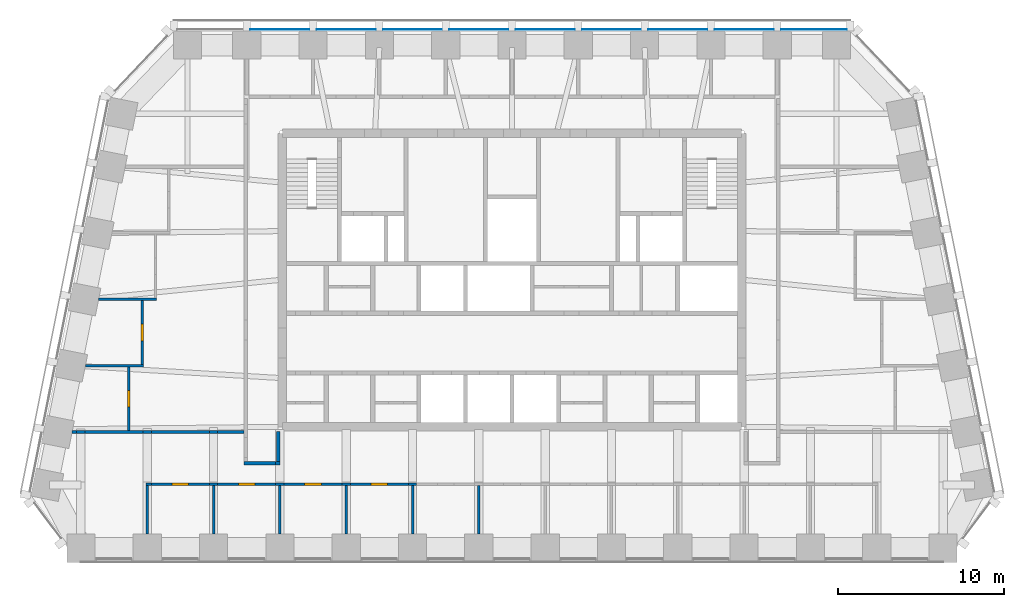
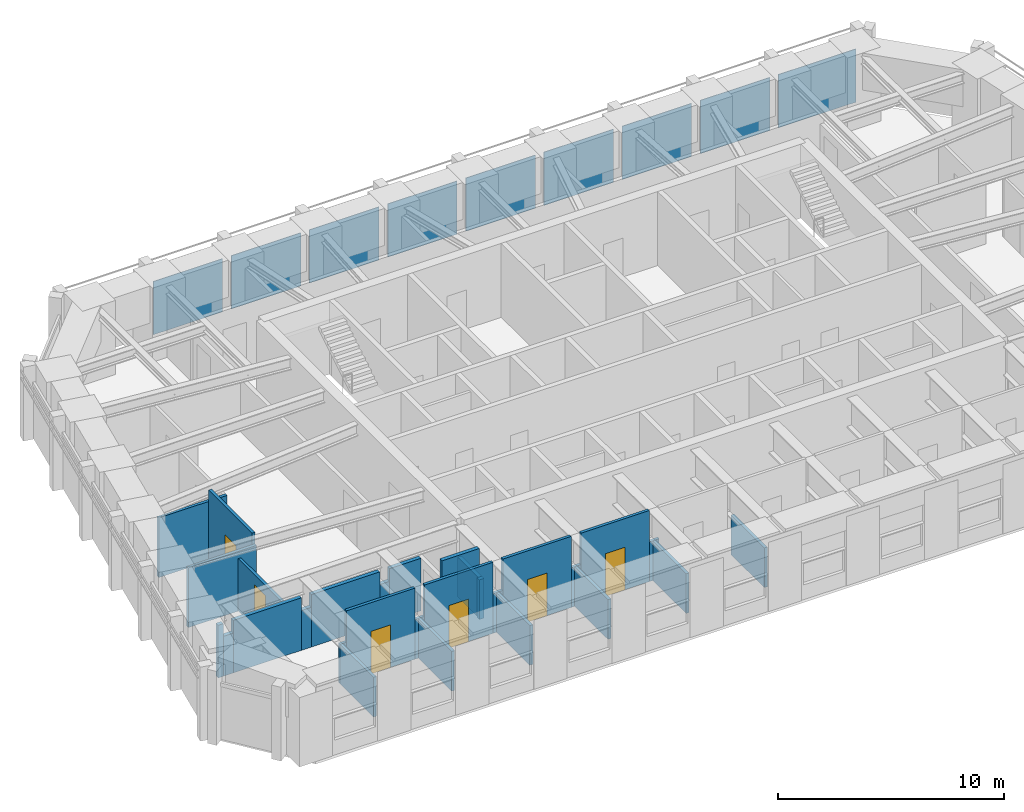
# One storey, part 4 of 12: 29 walls, 9 plates, 6 doors, 6 openings, 1 element without a shape of its own.
"""IFC4 building model written with IfcOpenShell, lengths in metres."""

from ifc_helpers import new_model, si_unit, direction, frame, frame_2d, origin, origin_2d, place, context, subcontext, project, spatial, rectangle, extrude, material, layer, layer_set, type_object, element, fill, aggregate, save


model = new_model("IFC4")

# Units and contexts
model_context = context("Model", 3, precision=1e-05, world=origin(), true_north=direction((0.0, 1.0)))
body_context = subcontext(model_context, "Body", "Model", "MODEL_VIEW")
ifc_project = project(units=[si_unit("LENGTHUNIT", "METRE"), si_unit("AREAUNIT", "SQUARE_METRE"), si_unit("VOLUMEUNIT", "CUBIC_METRE"), si_unit("PLANEANGLEUNIT", "RADIAN"), si_unit("MASSUNIT", "GRAM", prefix="KILO")], contexts=[model_context])

# Site, building, storey
site_placement = place(None, origin())
site = spatial("IfcSite", under=ifc_project, at=site_placement, CompositionType="ELEMENT")
building_placement = place(site_placement, origin())
building = spatial("IfcBuilding", under=site, at=building_placement, Name="Isbrekke Arena Tower", CompositionType="ELEMENT")
storey_placement = place(building_placement, frame((0.0, 0.0, 304.0)))
storey = spatial("IfcBuildingStorey", under=building, at=storey_placement, Name="L71", CompositionType="ELEMENT", Elevation=304.0)

# Curtain wall, plates
ifc_material_1 = material(Name="Glazed aluminium curtain wall", Category="aluminium")
curtain_wall_type = type_object("IfcCurtainWallType", Name="CWT TOWER CURTAIN WALL TOP ZONE", PredefinedType="USERDEFINED", material=ifc_material_1)
curtain_wall_placement = place(storey_placement, origin())
curtain_wall = element("IfcCurtainWall", 1, at=curtain_wall_placement, inside=storey, type_object=curtain_wall_type, Name="CWT curtain wall L71-N", ObjectType="TOWER CURTAIN WALL TOP ZONE", PredefinedType="USERDEFINED")
ifc_material_2 = material(Name="Triple-glazed clear glass unit", Category="glass")
ifc_layer_1 = layer(ifc_material_2, 0.031982421875)
ifc_layer_set_1 = layer_set([ifc_layer_1], Name="CWT-P VISION PANEL")
plate_type = type_object("IfcPlateType", Name="CWT-P VISION PANEL", PredefinedType="CURTAIN_PANEL", material=ifc_layer_set_1)
plate_1_placement = place(storey_placement, frame((18.199951171875, 30.125, 0.02001953125), z_axis=(0.0, 0.0, 1.0), x_axis=(-1.0, 0.0, 0.0)))
plate_1 = element("IfcPlate", 2, at=plate_1_placement, type_object=plate_type, Name="CWT-P panel 1", PredefinedType="CURTAIN_PANEL", context=body_context, shape_type="SweptSolid", body=[
    extrude(rectangle(XDim=3.949951171875, YDim=0.031982421875, at=origin_2d()), origin(), (0.0, 0.0, 1.0), 2.8798828125),
])
plate_2_placement = place(storey_placement, frame((14.0, 30.125, 0.02001953125), z_axis=(0.0, 0.0, 1.0), x_axis=(-1.0, 0.0, 0.0)))
plate_2 = element("IfcPlate", 3, at=plate_2_placement, type_object=plate_type, Name="CWT-P panel 2", PredefinedType="CURTAIN_PANEL", context=body_context, shape_type="SweptSolid", body=[
    extrude(rectangle(XDim=3.550048828125, YDim=0.031982421875, at=origin_2d()), origin(), (0.0, 0.0, 1.0), 2.8798828125),
])
plate_3_placement = place(storey_placement, frame((10.0, 30.125, 0.02001953125), z_axis=(0.0, 0.0, 1.0), x_axis=(-1.0, 0.0, 0.0)))
plate_3 = element("IfcPlate", 4, at=plate_3_placement, type_object=plate_type, Name="CWT-P panel 3", PredefinedType="CURTAIN_PANEL", context=body_context, shape_type="SweptSolid", body=[
    extrude(rectangle(XDim=3.550048828125, YDim=0.031982421875, at=origin_2d()), origin(), (0.0, 0.0, 1.0), 2.8798828125),
])
plate_4_placement = place(storey_placement, frame((6.0, 30.125, 0.02001953125), z_axis=(0.0, 0.0, 1.0), x_axis=(-1.0, 0.0, 0.0)))
plate_4 = element("IfcPlate", 5, at=plate_4_placement, type_object=plate_type, Name="CWT-P panel 4", PredefinedType="CURTAIN_PANEL", context=body_context, shape_type="SweptSolid", body=[
    extrude(rectangle(XDim=3.550048828125, YDim=0.031982421875, at=origin_2d()), origin(), (0.0, 0.0, 1.0), 2.8798828125),
])
plate_5_placement = place(storey_placement, frame((2.0, 30.125, 0.02001953125), z_axis=(0.0, 0.0, 1.0), x_axis=(-1.0, 0.0, 0.0)))
plate_5 = element("IfcPlate", 6, at=plate_5_placement, type_object=plate_type, Name="CWT-P panel 5", PredefinedType="CURTAIN_PANEL", context=body_context, shape_type="SweptSolid", body=[
    extrude(rectangle(XDim=3.550048828125, YDim=0.031982421875, at=origin_2d()), origin(), (0.0, 0.0, 1.0), 2.8798828125),
])
plate_6_placement = place(storey_placement, frame((-2.0, 30.125, 0.02001953125), z_axis=(0.0, 0.0, 1.0), x_axis=(-1.0, 0.0, 0.0)))
plate_6 = element("IfcPlate", 7, at=plate_6_placement, type_object=plate_type, Name="CWT-P panel 6", PredefinedType="CURTAIN_PANEL", context=body_context, shape_type="SweptSolid", body=[
    extrude(rectangle(XDim=3.550048828125, YDim=0.031982421875, at=origin_2d()), origin(), (0.0, 0.0, 1.0), 2.8798828125),
])
plate_7_placement = place(storey_placement, frame((-6.0, 30.125, 0.02001953125), z_axis=(0.0, 0.0, 1.0), x_axis=(-1.0, 0.0, 0.0)))
plate_7 = element("IfcPlate", 8, at=plate_7_placement, type_object=plate_type, Name="CWT-P panel 7", PredefinedType="CURTAIN_PANEL", context=body_context, shape_type="SweptSolid", body=[
    extrude(rectangle(XDim=3.550048828125, YDim=0.031982421875, at=origin_2d()), origin(), (0.0, 0.0, 1.0), 2.8798828125),
])
plate_8_placement = place(storey_placement, frame((-10.0, 30.125, 0.02001953125), z_axis=(0.0, 0.0, 1.0), x_axis=(-1.0, 0.0, 0.0)))
plate_8 = element("IfcPlate", 9, at=plate_8_placement, type_object=plate_type, Name="CWT-P panel 8", PredefinedType="CURTAIN_PANEL", context=body_context, shape_type="SweptSolid", body=[
    extrude(rectangle(XDim=3.550048828125, YDim=0.031982421875, at=origin_2d()), origin(), (0.0, 0.0, 1.0), 2.8798828125),
])
plate_9_placement = place(storey_placement, frame((-14.0, 30.125, 0.02001953125), z_axis=(0.0, 0.0, 1.0), x_axis=(-1.0, 0.0, 0.0)))
plate_9 = element("IfcPlate", 10, at=plate_9_placement, type_object=plate_type, Name="CWT-P panel 9", PredefinedType="CURTAIN_PANEL", context=body_context, shape_type="SweptSolid", body=[
    extrude(rectangle(XDim=3.550048828125, YDim=0.031982421875, at=origin_2d()), origin(), (0.0, 0.0, 1.0), 2.8798828125),
])
aggregate(curtain_wall, [plate_1, plate_2, plate_3, plate_4, plate_5, plate_6, plate_7, plate_8, plate_9])

# Wall
ifc_material_3 = material(Name="Gypsum board partition on steel studs", Category="steel")
ifc_layer_2 = layer(ifc_material_3, 0.14990234375)
ifc_layer_set_2 = layer_set([ifc_layer_2], Name="IW1 PARTITION 150")
wall_type_1 = type_object("IfcWallType", Name="IW1 PARTITION 150", PredefinedType="PARTITIONING", material=ifc_layer_set_2)
wall_1_placement = place(storey_placement, frame((-22.074951171875, 2.699951171875, 0.0), z_axis=(0.0, 0.0, 1.0), x_axis=(1.0, 0.0, 0.0)))
element("IfcWall", 11, at=wall_1_placement, inside=storey, type_object=wall_type_1, Name="IW1 partition 150 L71", PredefinedType="PARTITIONING", context=body_context, shape_type="SweptSolid", body=[
    extrude(rectangle(XDim=0.324951171875, YDim=0.14990234375, at=frame_2d((0.16259765625, 0.0))), origin(), (0.0, 0.0, 1.0), 2.14990234375),
])

# Wall, opening, door
wall_2_placement = place(storey_placement, frame((-21.75, 2.699951171875, 0.0), z_axis=(0.0, 0.0, 1.0), x_axis=(1.0, 0.0, 0.0)))
wall_2 = element("IfcWall", 12, at=wall_2_placement, inside=storey, type_object=wall_type_1, Name="IW1 partition 150 L71", PredefinedType="PARTITIONING", context=body_context, shape_type="SweptSolid", body=[
    extrude(rectangle(XDim=3.5, YDim=0.14990234375, at=frame_2d((1.75, 0.0))), origin(), (0.0, 0.0, 1.0), 3.85009765625),
])
opening_1_placement = place(wall_2_placement, frame((1.25, 0.0, 0.0)))
opening_1 = element("IfcOpeningElement", 13, at=opening_1_placement, cuts=wall_2, Name="Opening D10", PredefinedType="OPENING", context=body_context, shape_type="SweptSolid", body=[
    extrude(rectangle(XDim=1.0, YDim=2.300048828125, at=frame_2d((0.5, 1.14990234375))), frame((0.0, 0.08984375, 0.0), z_axis=(0.0, -1.0, 0.0), x_axis=(1.0, 0.0, 0.0)), (0.0, 0.0, 1.0), 0.1796875),
])
ifc_material_4 = material(Name="Timber door", Category="wood")
door_type = type_object("IfcDoorType", Name="D10 OFFICE DOOR 1000 x 2300", OperationType="SINGLE_SWING_LEFT", PredefinedType="DOOR", material=ifc_material_4)
door_1_placement = place(opening_1_placement, origin())
door_1 = element("IfcDoor", 14, at=door_1_placement, inside=storey, type_object=door_type, Name="D10 executive office door L71", OperationType="SINGLE_SWING_LEFT", OverallHeight=2.300048828125, OverallWidth=1.0, PredefinedType="DOOR", context=body_context, shape_type="SweptSolid", body=[
    extrude(rectangle(XDim=1.0, YDim=2.300048828125, at=frame_2d((0.5, 1.14990234375))), frame((0.0, 0.07470703125, 0.0), z_axis=(0.0, -1.0, 0.0), x_axis=(1.0, 0.0, 0.0)), (0.0, 0.0, 1.0), 0.1494140625),
])
fill(opening_1, door_1)

# Wall
wall_3_placement = place(storey_placement, frame((-18.25, 2.699951171875, 0.0), z_axis=(0.0, 0.0, 1.0), x_axis=(1.0, 0.0, 0.0)))
element("IfcWall", 15, at=wall_3_placement, inside=storey, type_object=wall_type_1, Name="IW1 partition 150 L71", PredefinedType="PARTITIONING", context=body_context, shape_type="SweptSolid", body=[
    extrude(rectangle(XDim=0.5, YDim=0.14990234375, at=frame_2d((0.25, 0.0))), origin(), (0.0, 0.0, 1.0), 2.14990234375),
])

# Wall, opening, door
wall_4_placement = place(storey_placement, frame((-17.75, 2.699951171875, 0.0), z_axis=(0.0, 0.0, 1.0), x_axis=(1.0, 0.0, 0.0)))
wall_4 = element("IfcWall", 16, at=wall_4_placement, inside=storey, type_object=wall_type_1, Name="IW1 partition 150 L71", PredefinedType="PARTITIONING", context=body_context, shape_type="SweptSolid", body=[
    extrude(rectangle(XDim=3.5, YDim=0.14990234375, at=frame_2d((1.75, 0.0))), origin(), (0.0, 0.0, 1.0), 3.85009765625),
])
opening_2_placement = place(wall_4_placement, frame((1.25, 0.0, 0.0)))
opening_2 = element("IfcOpeningElement", 17, at=opening_2_placement, cuts=wall_4, Name="Opening D10", PredefinedType="OPENING", context=body_context, shape_type="SweptSolid", body=[
    extrude(rectangle(XDim=1.0, YDim=2.300048828125, at=frame_2d((0.5, 1.14990234375))), frame((0.0, 0.08984375, 0.0), z_axis=(0.0, -1.0, 0.0), x_axis=(1.0, 0.0, 0.0)), (0.0, 0.0, 1.0), 0.1796875),
])
door_2_placement = place(opening_2_placement, origin())
door_2 = element("IfcDoor", 18, at=door_2_placement, inside=storey, type_object=door_type, Name="D10 executive office door L71", OperationType="SINGLE_SWING_LEFT", OverallHeight=2.300048828125, OverallWidth=1.0, PredefinedType="DOOR", context=body_context, shape_type="SweptSolid", body=[
    extrude(rectangle(XDim=1.0, YDim=2.300048828125, at=frame_2d((0.5, 1.14990234375))), frame((0.0, 0.07470703125, 0.0), z_axis=(0.0, -1.0, 0.0), x_axis=(1.0, 0.0, 0.0)), (0.0, 0.0, 1.0), 0.1494140625),
])
fill(opening_2, door_2)

# Wall
wall_5_placement = place(storey_placement, frame((-14.25, 2.699951171875, 0.0), z_axis=(0.0, 0.0, 1.0), x_axis=(1.0, 0.0, 0.0)))
element("IfcWall", 19, at=wall_5_placement, inside=storey, type_object=wall_type_1, Name="IW1 partition 150 L71", PredefinedType="PARTITIONING", context=body_context, shape_type="SweptSolid", body=[
    extrude(rectangle(XDim=0.5, YDim=0.14990234375, at=frame_2d((0.25, 0.0))), origin(), (0.0, 0.0, 1.0), 2.14990234375),
])

# Wall, opening, door
wall_6_placement = place(storey_placement, frame((-13.75, 2.699951171875, 0.0), z_axis=(0.0, 0.0, 1.0), x_axis=(1.0, 0.0, 0.0)))
wall_6 = element("IfcWall", 20, at=wall_6_placement, inside=storey, type_object=wall_type_1, Name="IW1 partition 150 L71", PredefinedType="PARTITIONING", context=body_context, shape_type="SweptSolid", body=[
    extrude(rectangle(XDim=3.5, YDim=0.14990234375, at=frame_2d((1.75, 0.0))), origin(), (0.0, 0.0, 1.0), 3.85009765625),
])
opening_3_placement = place(wall_6_placement, frame((1.25, 0.0, 0.0)))
opening_3 = element("IfcOpeningElement", 21, at=opening_3_placement, cuts=wall_6, Name="Opening D10", PredefinedType="OPENING", context=body_context, shape_type="SweptSolid", body=[
    extrude(rectangle(XDim=1.0, YDim=2.300048828125, at=frame_2d((0.5, 1.14990234375))), frame((0.0, 0.08984375, 0.0), z_axis=(0.0, -1.0, 0.0), x_axis=(1.0, 0.0, 0.0)), (0.0, 0.0, 1.0), 0.1796875),
])
door_3_placement = place(opening_3_placement, origin())
door_3 = element("IfcDoor", 22, at=door_3_placement, inside=storey, type_object=door_type, Name="D10 executive office door L71", OperationType="SINGLE_SWING_LEFT", OverallHeight=2.300048828125, OverallWidth=1.0, PredefinedType="DOOR", context=body_context, shape_type="SweptSolid", body=[
    extrude(rectangle(XDim=1.0, YDim=2.300048828125, at=frame_2d((0.5, 1.14990234375))), frame((0.0, 0.07470703125, 0.0), z_axis=(0.0, -1.0, 0.0), x_axis=(1.0, 0.0, 0.0)), (0.0, 0.0, 1.0), 0.1494140625),
])
fill(opening_3, door_3)

# Wall
wall_7_placement = place(storey_placement, frame((-10.25, 2.699951171875, 0.0), z_axis=(0.0, 0.0, 1.0), x_axis=(1.0, 0.0, 0.0)))
element("IfcWall", 23, at=wall_7_placement, inside=storey, type_object=wall_type_1, Name="IW1 partition 150 L71", PredefinedType="PARTITIONING", context=body_context, shape_type="SweptSolid", body=[
    extrude(rectangle(XDim=0.5, YDim=0.14990234375, at=frame_2d((0.25, 0.0))), origin(), (0.0, 0.0, 1.0), 2.14990234375),
])

# Wall, opening, door
wall_8_placement = place(storey_placement, frame((-9.75, 2.699951171875, 0.0), z_axis=(0.0, 0.0, 1.0), x_axis=(1.0, 0.0, 0.0)))
wall_8 = element("IfcWall", 24, at=wall_8_placement, inside=storey, type_object=wall_type_1, Name="IW1 partition 150 L71", PredefinedType="PARTITIONING", context=body_context, shape_type="SweptSolid", body=[
    extrude(rectangle(XDim=3.5, YDim=0.14990234375, at=frame_2d((1.75, 0.0))), origin(), (0.0, 0.0, 1.0), 3.85009765625),
])
opening_4_placement = place(wall_8_placement, frame((1.25, 0.0, 0.0)))
opening_4 = element("IfcOpeningElement", 25, at=opening_4_placement, cuts=wall_8, Name="Opening D10", PredefinedType="OPENING", context=body_context, shape_type="SweptSolid", body=[
    extrude(rectangle(XDim=1.0, YDim=2.300048828125, at=frame_2d((0.5, 1.14990234375))), frame((0.0, 0.08984375, 0.0), z_axis=(0.0, -1.0, 0.0), x_axis=(1.0, 0.0, 0.0)), (0.0, 0.0, 1.0), 0.1796875),
])
door_4_placement = place(opening_4_placement, origin())
door_4 = element("IfcDoor", 26, at=door_4_placement, inside=storey, type_object=door_type, Name="D10 executive office door L71", OperationType="SINGLE_SWING_LEFT", OverallHeight=2.300048828125, OverallWidth=1.0, PredefinedType="DOOR", context=body_context, shape_type="SweptSolid", body=[
    extrude(rectangle(XDim=1.0, YDim=2.300048828125, at=frame_2d((0.5, 1.14990234375))), frame((0.0, 0.07470703125, 0.0), z_axis=(0.0, -1.0, 0.0), x_axis=(1.0, 0.0, 0.0)), (0.0, 0.0, 1.0), 0.1494140625),
])
fill(opening_4, door_4)

# Walls
wall_9_placement = place(storey_placement, frame((-6.25, 2.699951171875, 0.0), z_axis=(0.0, 0.0, 1.0), x_axis=(1.0, 0.0, 0.0)))
element("IfcWall", 27, at=wall_9_placement, inside=storey, type_object=wall_type_1, Name="IW1 partition 150 L71", PredefinedType="PARTITIONING", context=body_context, shape_type="SweptSolid", body=[
    extrude(rectangle(XDim=0.5, YDim=0.14990234375, at=frame_2d((0.25, 0.0))), origin(), (0.0, 0.0, 1.0), 2.14990234375),
])
for number, where, z_axis, x_axis, name in (
    (28, (-25.723876953125, 9.840087890625, 0.0), (0.0, 0.0, 1.0), (1.0, 0.0, 0.0), "IW1 partition 150 L71"),
    (29, (-24.923828125, 13.840087890625, 0.0), (0.0, 0.0, 1.0), (1.0, 0.0, 0.0), "IW1 partition 150 L71"),
):
    element("IfcWall", number, at=place(storey_placement, frame(where, z_axis=z_axis, x_axis=x_axis)), inside=storey, type_object=wall_type_1, Name=name, PredefinedType="PARTITIONING", context=body_context, shape_type="SweptSolid", body=[
        extrude(rectangle(XDim=3.498779296875, YDim=0.14990234375, at=frame_2d((1.74951171875, 0.0))), origin(), (0.0, 0.0, 1.0), 3.22998046875),
    ])

# Wall, opening, door
wall_10_placement = place(storey_placement, frame((-23.10009765625, 5.93994140625, 0.0), z_axis=(0.0, 0.0, 1.0), x_axis=(0.0, 1.0, 0.0)))
wall_10 = element("IfcWall", 30, at=wall_10_placement, inside=storey, type_object=wall_type_1, Name="IW1 partition 150 L71", PredefinedType="PARTITIONING", context=body_context, shape_type="SweptSolid", body=[
    extrude(rectangle(XDim=3.824951171875, YDim=0.14990234375, at=frame_2d((1.91259765625, 0.0))), origin(), (0.0, 0.0, 1.0), 2.842041015625),
])
opening_5_placement = place(wall_10_placement, frame((1.39990234375, 0.0, 0.0)))
opening_5 = element("IfcOpeningElement", 31, at=opening_5_placement, cuts=wall_10, Name="Opening D10", PredefinedType="OPENING", context=body_context, shape_type="SweptSolid", body=[
    extrude(rectangle(XDim=1.0, YDim=2.300048828125, at=frame_2d((0.5, 1.14990234375))), frame((0.0, 0.08984375, 0.0), z_axis=(0.0, -1.0, 0.0), x_axis=(1.0, 0.0, 0.0)), (0.0, 0.0, 1.0), 0.1796875),
])
door_5_placement = place(opening_5_placement, origin())
door_5 = element("IfcDoor", 32, at=door_5_placement, inside=storey, type_object=door_type, Name="D10 executive office door L71", OperationType="SINGLE_SWING_LEFT", OverallHeight=2.300048828125, OverallWidth=1.0, PredefinedType="DOOR", context=body_context, shape_type="SweptSolid", body=[
    extrude(rectangle(XDim=1.0, YDim=2.300048828125, at=frame_2d((0.5, 1.14990234375))), frame((0.0, 0.07470703125, 0.0), z_axis=(0.0, -1.0, 0.0), x_axis=(1.0, 0.0, 0.0)), (0.0, 0.0, 1.0), 0.1494140625),
])
fill(opening_5, door_5)

wall_11_placement = place(storey_placement, frame((-22.300048828125, 9.9150390625, 0.0), z_axis=(0.0, 0.0, 1.0), x_axis=(0.0, 1.0, 0.0)))
wall_11 = element("IfcWall", 33, at=wall_11_placement, inside=storey, type_object=wall_type_1, Name="IW1 partition 150 L71", PredefinedType="PARTITIONING", context=body_context, shape_type="SweptSolid", body=[
    extrude(rectangle(XDim=3.849853515625, YDim=0.14990234375, at=frame_2d((1.9248046875, 0.0))), origin(), (0.0, 0.0, 1.0), 3.85009765625),
])
opening_6_placement = place(wall_11_placement, frame((1.425048828125, 0.0, 0.0)))
opening_6 = element("IfcOpeningElement", 34, at=opening_6_placement, cuts=wall_11, Name="Opening D10", PredefinedType="OPENING", context=body_context, shape_type="SweptSolid", body=[
    extrude(rectangle(XDim=1.0, YDim=2.300048828125, at=frame_2d((0.5, 1.14990234375))), frame((0.0, 0.08984375, 0.0), z_axis=(0.0, -1.0, 0.0), x_axis=(1.0, 0.0, 0.0)), (0.0, 0.0, 1.0), 0.1796875),
])
door_6_placement = place(opening_6_placement, origin())
door_6 = element("IfcDoor", 35, at=door_6_placement, inside=storey, type_object=door_type, Name="D10 executive office door L71", OperationType="SINGLE_SWING_LEFT", OverallHeight=2.300048828125, OverallWidth=1.0, PredefinedType="DOOR", context=body_context, shape_type="SweptSolid", body=[
    extrude(rectangle(XDim=1.0, YDim=2.300048828125, at=frame_2d((0.5, 1.14990234375))), frame((0.0, 0.07470703125, 0.0), z_axis=(0.0, -1.0, 0.0), x_axis=(1.0, 0.0, 0.0)), (0.0, 0.0, 1.0), 0.1494140625),
])
fill(opening_6, door_6)

# Walls
for number, where, z_axis, x_axis, name in (
    (36, (-22.0, -0.324951171875, 0.0), (0.0, 0.0, 1.0), (0.0, 1.0, 0.0), "IW1 partition 150 L71"),
    (37, (-18.0, -0.324951171875, 0.0), (0.0, 0.0, 1.0), (0.0, 1.0, 0.0), "IW1 partition 150 L71"),
    (38, (-14.0, -0.324951171875, 0.0), (0.0, 0.0, 1.0), (0.0, 1.0, 0.0), "IW1 partition 150 L71"),
    (39, (-10.0, -0.324951171875, 0.0), (0.0, 0.0, 1.0), (0.0, 1.0, 0.0), "IW1 partition 150 L71"),
    (40, (-6.0, -0.324951171875, 0.0), (0.0, 0.0, 1.0), (0.0, 1.0, 0.0), "IW1 partition 150 L71"),
    (41, (-2.0, -0.324951171875, 0.0), (0.0, 0.0, 1.0), (0.0, 1.0, 0.0), "IW1 partition 150 L71"),
):
    element("IfcWall", number, at=place(storey_placement, frame(where, z_axis=z_axis, x_axis=x_axis)), inside=storey, type_object=wall_type_1, Name=name, PredefinedType="PARTITIONING", context=body_context, shape_type="SweptSolid", body=[
        extrude(rectangle(XDim=2.949951171875, YDim=0.14990234375, at=frame_2d((1.47509765625, 0.0))), origin(), (0.0, 0.0, 1.0), 2.14990234375),
    ])
ifc_material_5 = material(Name="Gypsum board fire-cell wall on steel studs, two layers each side", Category="steel")
ifc_layer_3 = layer(ifc_material_5, 0.199951171875)
ifc_layer_set_3 = layer_set([ifc_layer_3], Name="IW3 FIRE-CELL WALL 200")
wall_type_2 = type_object("IfcWallType", Name="IW3 FIRE-CELL WALL 200", PredefinedType="PARTITIONING", material=ifc_layer_set_3)
wall_12_placement = place(storey_placement, frame((-16.14990234375, 3.949951171875, 0.0), z_axis=(0.0, 0.0, 1.0), x_axis=(1.0, 0.0, 0.0)))
element("IfcWall", 42, at=wall_12_placement, inside=storey, type_object=wall_type_2, Name="IW3 fire-cell wall 200 L71", PredefinedType="PARTITIONING", context=body_context, shape_type="SweptSolid", body=[
    extrude(rectangle(XDim=1.89990234375, YDim=0.199951171875, at=frame_2d((0.949951171875, 0.0))), origin(), (0.0, 0.0, 1.0), 3.85009765625),
])
wall_13_placement = place(storey_placement, frame((-14.25, 3.949951171875, 0.0), z_axis=(0.0, 0.0, 1.0), x_axis=(1.0, 0.0, 0.0)))
element("IfcWall", 43, at=wall_13_placement, inside=storey, type_object=wall_type_2, Name="IW3 fire-cell wall 200 L71", PredefinedType="PARTITIONING", context=body_context, shape_type="SweptSolid", body=[
    extrude(rectangle(XDim=0.25, YDim=0.199951171875, at=frame_2d((0.125, 0.0))), origin(), (0.0, 0.0, 1.0), 2.14990234375),
])
wall_14_placement = place(storey_placement, frame((-26.523681640625, 5.840087890625, 0.0), z_axis=(0.0, 0.0, 1.0), x_axis=(1.0, 0.0, 0.0)))
element("IfcWall", 44, at=wall_14_placement, inside=storey, type_object=wall_type_2, Name="IW3 fire-cell wall 200 L71", PredefinedType="PARTITIONING", context=body_context, shape_type="SweptSolid", body=[
    extrude(rectangle(XDim=0.273681640625, YDim=0.199951171875, at=frame_2d((0.13671875, 0.0))), origin(), (0.0, 0.0, 1.0), 2.842041015625),
])
wall_15_placement = place(storey_placement, frame((-26.25, 5.840087890625, 0.0), z_axis=(0.0, 0.0, 1.0), x_axis=(1.0, 0.0, 0.0)))
element("IfcWall", 45, at=wall_15_placement, inside=storey, type_object=wall_type_2, Name="IW3 fire-cell wall 200 L71", PredefinedType="PARTITIONING", context=body_context, shape_type="SweptSolid", body=[
    extrude(rectangle(XDim=0.5, YDim=0.199951171875, at=frame_2d((0.25, 0.0))), origin(), (0.0, 0.0, 1.0), 2.14990234375),
])
wall_16_placement = place(storey_placement, frame((-25.75, 5.840087890625, 0.0), z_axis=(0.0, 0.0, 1.0), x_axis=(1.0, 0.0, 0.0)))
element("IfcWall", 46, at=wall_16_placement, inside=storey, type_object=wall_type_2, Name="IW3 fire-cell wall 200 L71", PredefinedType="PARTITIONING", context=body_context, shape_type="SweptSolid", body=[
    extrude(rectangle(XDim=3.5, YDim=0.199951171875, at=frame_2d((1.75, 0.0))), origin(), (0.0, 0.0, 1.0), 2.842041015625),
])
wall_17_placement = place(storey_placement, frame((-22.25, 5.840087890625, 0.0), z_axis=(0.0, 0.0, 1.0), x_axis=(1.0, 0.0, 0.0)))
element("IfcWall", 47, at=wall_17_placement, inside=storey, type_object=wall_type_2, Name="IW3 fire-cell wall 200 L71", PredefinedType="PARTITIONING", context=body_context, shape_type="SweptSolid", body=[
    extrude(rectangle(XDim=0.5, YDim=0.199951171875, at=frame_2d((0.25, 0.0))), origin(), (0.0, 0.0, 1.0), 2.14990234375),
])
wall_18_placement = place(storey_placement, frame((-21.75, 5.840087890625, 0.0), z_axis=(0.0, 0.0, 1.0), x_axis=(1.0, 0.0, 0.0)))
element("IfcWall", 48, at=wall_18_placement, inside=storey, type_object=wall_type_2, Name="IW3 fire-cell wall 200 L71", PredefinedType="PARTITIONING", context=body_context, shape_type="SweptSolid", body=[
    extrude(rectangle(XDim=3.5, YDim=0.199951171875, at=frame_2d((1.75, 0.0))), origin(), (0.0, 0.0, 1.0), 2.842041015625),
])
wall_19_placement = place(storey_placement, frame((-18.25, 5.840087890625, 0.0), z_axis=(0.0, 0.0, 1.0), x_axis=(1.0, 0.0, 0.0)))
element("IfcWall", 49, at=wall_19_placement, inside=storey, type_object=wall_type_2, Name="IW3 fire-cell wall 200 L71", PredefinedType="PARTITIONING", context=body_context, shape_type="SweptSolid", body=[
    extrude(rectangle(XDim=0.5, YDim=0.199951171875, at=frame_2d((0.25, 0.0))), origin(), (0.0, 0.0, 1.0), 2.14990234375),
])
wall_20_placement = place(storey_placement, frame((-17.75, 5.840087890625, 0.0), z_axis=(0.0, 0.0, 1.0), x_axis=(1.0, 0.0, 0.0)))
element("IfcWall", 50, at=wall_20_placement, inside=storey, type_object=wall_type_2, Name="IW3 fire-cell wall 200 L71", PredefinedType="PARTITIONING", context=body_context, shape_type="SweptSolid", body=[
    extrude(rectangle(XDim=1.60009765625, YDim=0.199951171875, at=frame_2d((0.800048828125, 0.0))), origin(), (0.0, 0.0, 1.0), 2.842041015625),
])
wall_21_placement = place(storey_placement, frame((-14.10009765625, 4.050048828125, 0.0), z_axis=(0.0, 0.0, 1.0), x_axis=(0.0, 1.0, 0.0)))
element("IfcWall", 51, at=wall_21_placement, inside=storey, type_object=wall_type_2, Name="IW3 fire-cell wall 200 L71", PredefinedType="PARTITIONING", context=body_context, shape_type="SweptSolid", body=[
    extrude(rectangle(XDim=1.820068359375, YDim=0.199951171875, at=frame_2d((0.91015625, 0.0))), origin(), (0.0, 0.0, 1.0), 2.14990234375),
])

save(model, "model.ifc")
